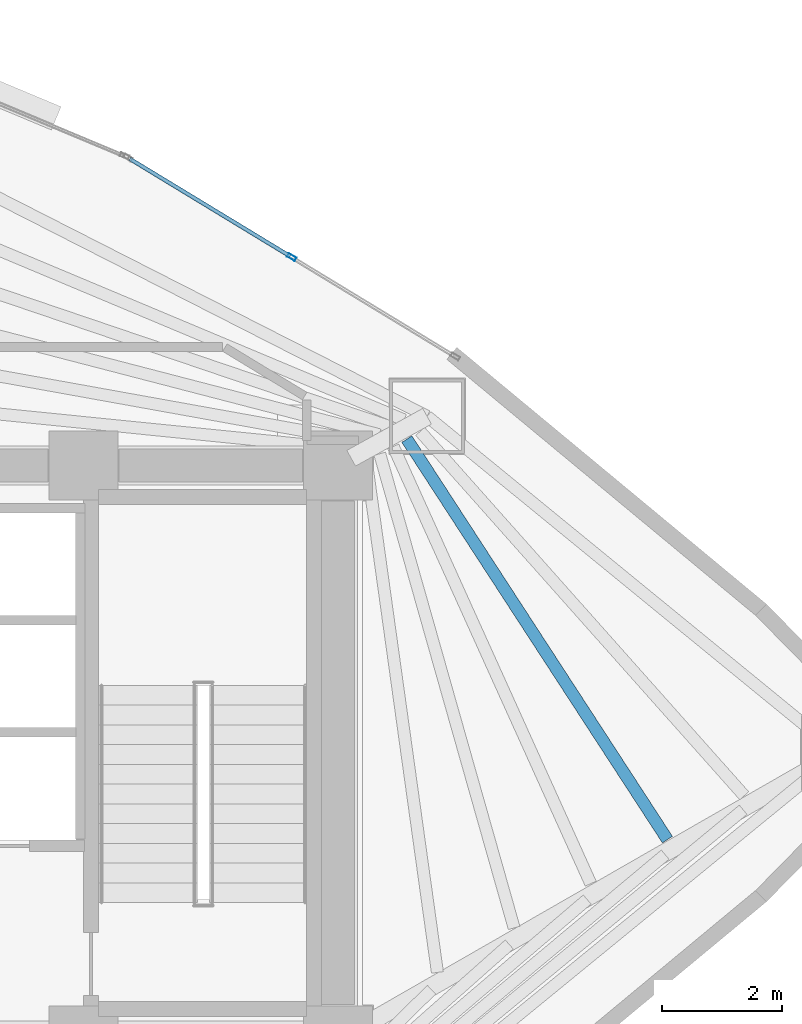
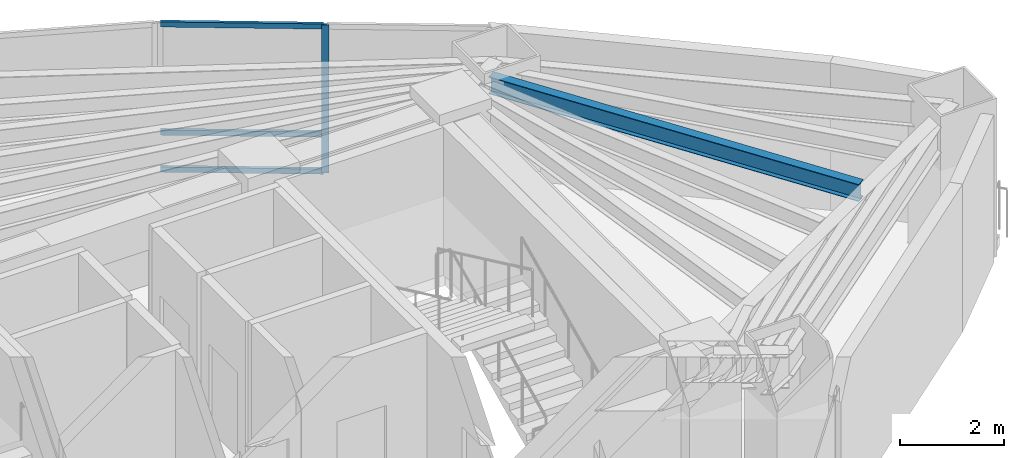
# One storey, part 11 of 18: 4 members, 1 beam, 1 element without a shape of its own.
"""IFC4 building model written with IfcOpenShell, lengths in metres."""

from ifc_helpers import new_model, si_unit, direction, frame, origin, origin_2d, place, context, subcontext, project, spatial, hollow_rectangle, i_section, extrude, material, layer, layer_set, material_profile, profile_set, type_object, element, aggregate, save


model = new_model("IFC4")

# Units and contexts
model_context = context("Model", 3, precision=1e-05, world=origin(), true_north=direction((0.0, 1.0)))
body_context = subcontext(model_context, "Body", "Model", "MODEL_VIEW")
ifc_project = project(units=[si_unit("LENGTHUNIT", "METRE"), si_unit("AREAUNIT", "SQUARE_METRE"), si_unit("VOLUMEUNIT", "CUBIC_METRE"), si_unit("PLANEANGLEUNIT", "RADIAN"), si_unit("MASSUNIT", "GRAM", prefix="KILO")], contexts=[model_context])

# Site, building, storey
site_placement = place(None, origin())
site = spatial("IfcSite", under=ifc_project, at=site_placement, CompositionType="ELEMENT")
building_placement = place(site_placement, origin())
building = spatial("IfcBuilding", under=site, at=building_placement, Name="Menara Vayukalpa", CompositionType="ELEMENT")
storey_placement = place(building_placement, frame((0.0, 0.0, 96.5400390625)))
storey = spatial("IfcBuildingStorey", under=building, at=storey_placement, Name="L23", CompositionType="ELEMENT", Elevation=96.5400390625)

# Beam
ifc_material_1 = material(Name="Steel S355", Category="steel")
ifc_material_profile_1 = material_profile(ifc_material_1, i_section(OverallWidth=0.199951171875, OverallDepth=0.39990234375, WebThickness=0.008056640625, FlangeThickness=0.012939453125, at=origin_2d()), Name="WF 400x200x8x13")
ifc_profile_set_1 = profile_set([ifc_material_profile_1], Name="Steel S355")
beam_type = type_object("IfcBeamType", Name="BM-SJ2", PredefinedType="JOIST", material=ifc_profile_set_1)
beam_placement = place(storey_placement, frame((38.89990234375, 20.552734375, 3.27001953125), z_axis=(-0.545359331823, 0.83820236172, 0.0), x_axis=(-0.83820236172, -0.545359331823, 0.0)))
element("IfcBeam", 1, at=beam_placement, inside=storey, type_object=beam_type, Name="L23 Secondary Floor Joist SJ01-4", PredefinedType="JOIST", context=body_context, shape_type="SweptSolid", body=[
    extrude(i_section(OverallWidth=0.199951171875, OverallDepth=0.39990234375, WebThickness=0.008056640625, FlangeThickness=0.012939453125, at=origin_2d()), origin(), (0.0, 0.0, 1.0), 7.979248046875),
])

# Curtain wall, members
ifc_material_2 = material(Name="Anodised Terracotta Aluminium Alloy 6063-T6", Category="masonry")
ifc_layer = layer(ifc_material_2, 0.14990234375)
ifc_layer_set = layer_set([ifc_layer], Name="Anodised Terracotta Aluminium Alloy 6063-T6")
curtain_wall_type = type_object("IfcCurtainWallType", Name="CW-CW3", PredefinedType="USERDEFINED", material=ifc_layer_set)
curtain_wall_placement = place(storey_placement, origin())
curtain_wall = element("IfcCurtainWall", 2, at=curtain_wall_placement, inside=storey, type_object=curtain_wall_type, Name="L23 Mid Rise Terracotta Ribbon Curtain Wall CW3 04", ObjectType="UNITISED", PredefinedType="USERDEFINED")
ifc_material_3 = material(Name="Anodised Terracotta Aluminium Alloy 6063-T6", Category="masonry")
ifc_material_profile_2 = material_profile(ifc_material_3, hollow_rectangle(XDim=0.06494140625, YDim=0.14990234375, WallThickness=0.00341796875, at=origin_2d()), Name="ALU 65x150x3.5")
ifc_profile_set_2 = profile_set([ifc_material_profile_2], Name="Anodised Terracotta Aluminium Alloy 6063-T6")
member_type_1 = type_object("IfcMemberType", Name="CWM-CW3", PredefinedType="MULLION", material=ifc_profile_set_2)
member_1_placement = place(storey_placement, frame((32.6259765625, 30.278564453125, 0.0), z_axis=(0.0, 0.0, 1.0), x_axis=(-0.519182959112, -0.854663123674, 0.0)))
member_1 = element("IfcMember", 3, at=member_1_placement, type_object=member_type_1, Name="CW3 mullion 2", PredefinedType="MULLION", context=body_context, shape_type="SweptSolid", body=[
    extrude(hollow_rectangle(XDim=0.06494140625, YDim=0.14990234375, WallThickness=0.00341796875, at=origin_2d()), origin(), (0.0, 0.0, 1.0), 3.469970703125),
])
ifc_material_4 = material(Name="Anodised Terracotta Aluminium Alloy 6063-T6", Category="masonry")
ifc_material_profile_3 = material_profile(ifc_material_4, hollow_rectangle(XDim=0.06494140625, YDim=0.1201171875, WallThickness=0.00341796875, at=origin_2d()), Name="ALU 65x120x3.5")
ifc_profile_set_3 = profile_set([ifc_material_profile_3], Name="Anodised Terracotta Aluminium Alloy 6063-T6")
member_type_2 = type_object("IfcMemberType", Name="CWT-CW3", PredefinedType="USERDEFINED", material=ifc_profile_set_3)
member_2_placement = place(storey_placement, frame((32.59814453125, 30.29541015625, 0.032470703125), z_axis=(-0.854673871166, 0.519165266506, 0.0), x_axis=(-0.519165266506, -0.854673871166, 0.0)))
member_2 = element("IfcMember", 4, at=member_2_placement, type_object=member_type_2, Name="CW3 transom 2.1", ObjectType="TRANSOM", PredefinedType="USERDEFINED", context=body_context, shape_type="SweptSolid", body=[
    extrude(hollow_rectangle(XDim=0.06494140625, YDim=0.1201171875, WallThickness=0.00341796875, at=origin_2d()), origin(), (0.0, 0.0, 1.0), 3.1318359375),
])
member_3_placement = place(storey_placement, frame((32.59814453125, 30.29541015625, 0.89990234375), z_axis=(-0.854673871166, 0.519165266506, 0.0), x_axis=(-0.519165266506, -0.854673871166, 0.0)))
member_3 = element("IfcMember", 5, at=member_3_placement, type_object=member_type_2, Name="CW3 transom 2.2", ObjectType="TRANSOM", PredefinedType="USERDEFINED", context=body_context, shape_type="SweptSolid", body=[
    extrude(hollow_rectangle(XDim=0.06494140625, YDim=0.1201171875, WallThickness=0.00341796875, at=origin_2d()), origin(), (0.0, 0.0, 1.0), 3.1318359375),
])
member_4_placement = place(storey_placement, frame((32.59814453125, 30.29541015625, 3.4375), z_axis=(-0.854673871166, 0.519165266506, 0.0), x_axis=(-0.519165266506, -0.854673871166, 0.0)))
member_4 = element("IfcMember", 6, at=member_4_placement, type_object=member_type_2, Name="CW3 transom 2.3", ObjectType="TRANSOM", PredefinedType="USERDEFINED", context=body_context, shape_type="SweptSolid", body=[
    extrude(hollow_rectangle(XDim=0.06494140625, YDim=0.1201171875, WallThickness=0.00341796875, at=origin_2d()), origin(), (0.0, 0.0, 1.0), 3.1318359375),
])
aggregate(curtain_wall, [member_1, member_2, member_3, member_4])

save(model, "model.ifc")
